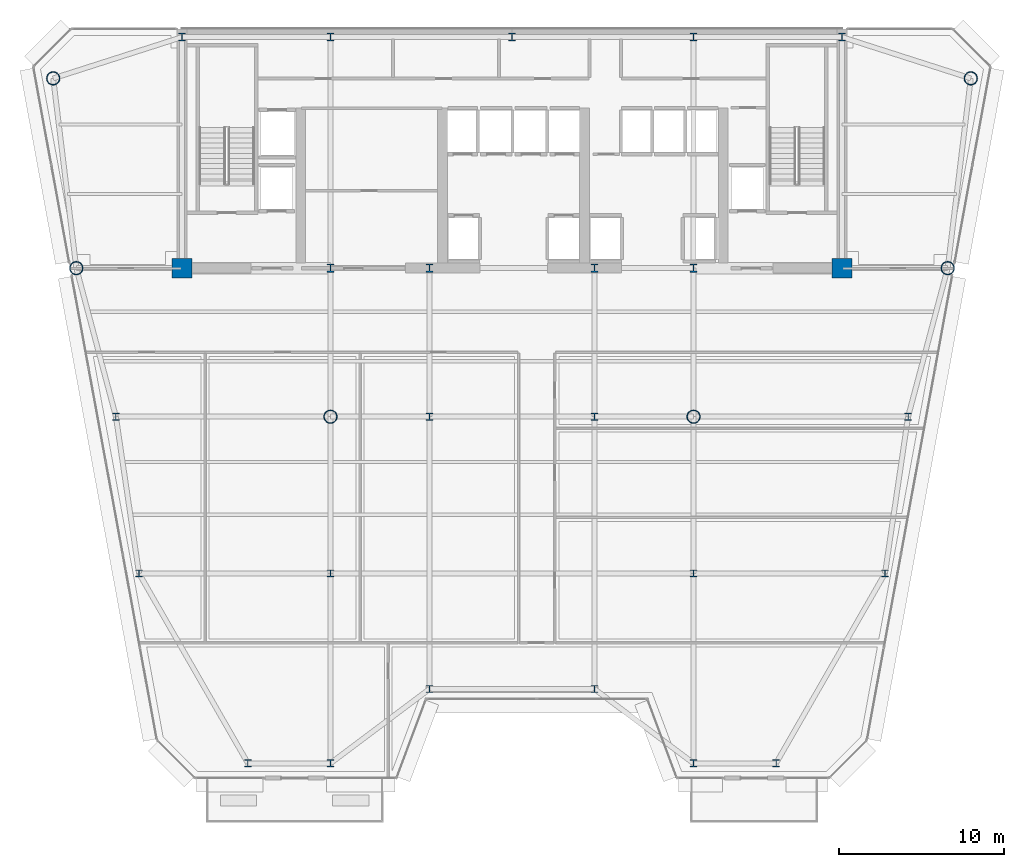
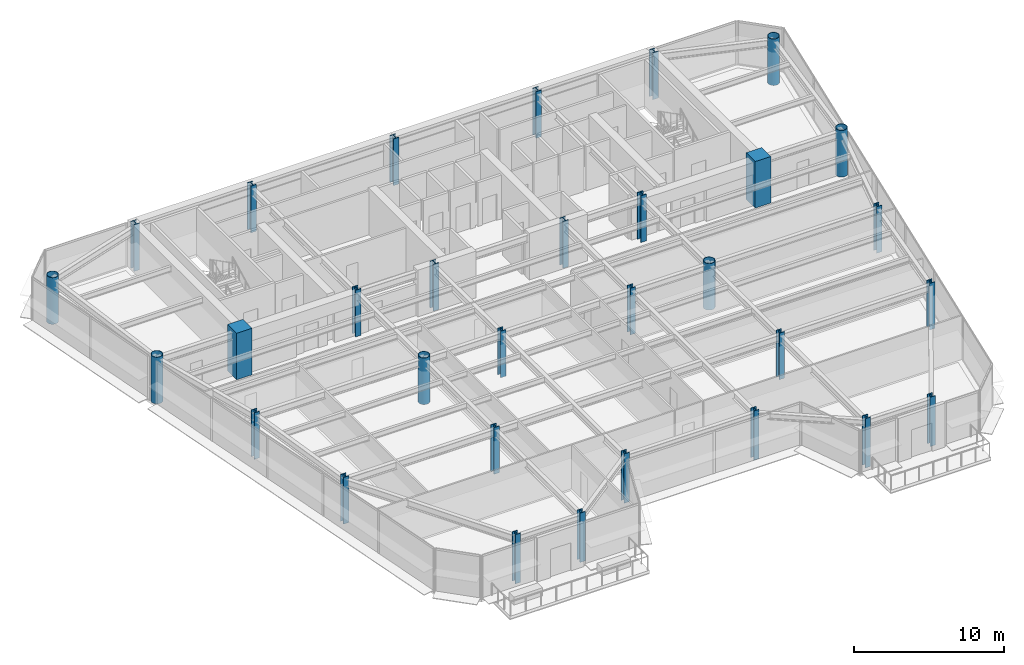
# One storey, part 1 of 17: 31 columns.
"""IFC4 building model written with IfcOpenShell, lengths in metres."""

import ifcopenshell
import ifcopenshell.guid

model = None  # the IFC model being written
_history = None  # IfcOwnerHistory: only IFC2X3 demands one
_inside = {}  # id of a spatial element -> (the spatial element, [elements in it])
_under = {}  # id of a project, library or spatial element -> (it, [spatial elements below it])
_declared = {}  # id of a project -> (the project, [libraries it declares])
_typed = {}  # id of a type object -> (the type object, [elements of that type])
_made_of = {}  # id of a material, layer set ... -> (it, [elements and type objects made of it])


def new_model(schema):
    """Start an empty IFC model of exactly this schema.

    Asked for "IFC4X3", IfcOpenShell would pick the latest addendum, in which some entities
    have other attributes; the version numbers below select the first issue.
    IFC2X3 requires an IfcOwnerHistory on every rooted entity: one is made here for all.
    """
    global model, _history
    if schema == "IFC4X3":
        model = ifcopenshell.file(schema_version=(4, 3, 0, 0))
    else:
        model = ifcopenshell.file(schema=schema)
    _inside.clear()
    _under.clear()
    _declared.clear()
    _typed.clear()
    _made_of.clear()
    _history = None
    if model.schema == "IFC2X3":
        org = make("IfcOrganization", Name="unknown")
        user = make(
            "IfcPersonAndOrganization",
            ThePerson=make("IfcPerson", FamilyName="unknown"),
            TheOrganization=org,
        )
        app = make(
            "IfcApplication",
            ApplicationDeveloper=org,
            Version="unknown",
            ApplicationFullName="unknown",
            ApplicationIdentifier="unknown",
        )
        _history = make(
            "IfcOwnerHistory",
            OwningUser=user,
            OwningApplication=app,
            ChangeAction="ADDED",
            CreationDate=0,
        )
    return model


def make(cls, **values):
    """One entity of the class cls with the attributes given. An attribute that is None is left unset."""
    return model.create_entity(
        cls, **{name: value for name, value in values.items() if value is not None}
    )


def rooted(cls, **values):
    """An entity with a GlobalId (a new one), such as an element, a storey or a relation."""
    return make(cls, GlobalId=ifcopenshell.guid.new(), OwnerHistory=_history, **values)


def si_unit(unit_type, name, prefix=None):
    """IfcSIUnit, for example si_unit("LENGTHUNIT", "METRE", prefix="MILLI")."""
    return make("IfcSIUnit", UnitType=unit_type, Prefix=prefix, Name=name)


def assignment(units):
    """IfcUnitAssignment: the units of a project."""
    return None if units is None else make("IfcUnitAssignment", Units=units)


def point(xyz):
    """IfcCartesianPoint."""
    return None if xyz is None else make("IfcCartesianPoint", Coordinates=xyz)


def direction(xyz):
    """IfcDirection."""
    return None if xyz is None else make("IfcDirection", DirectionRatios=xyz)


def frame(location, z_axis=None, x_axis=None):
    """IfcAxis2Placement3D, a coordinate frame: its origin and axes. An axis left out is left unset."""
    return make(
        "IfcAxis2Placement3D",
        Location=point(location),
        Axis=direction(z_axis),
        RefDirection=direction(x_axis),
    )


def frame_2d(location, x_axis=None):
    """IfcAxis2Placement2D, a coordinate frame in the plane: its origin and x axis."""
    return make(
        "IfcAxis2Placement2D", Location=point(location), RefDirection=direction(x_axis)
    )


def origin():
    """The frame at (0, 0, 0) with its axes left unset."""
    return frame((0.0, 0.0, 0.0))


def origin_2d():
    """The frame at (0, 0) in the plane with its x axis left unset."""
    return frame_2d((0.0, 0.0))


def place(relative_to, where):
    """IfcLocalPlacement: puts the frame where relative to a parent placement (None: the world)."""
    return make(
        "IfcLocalPlacement", PlacementRelTo=relative_to, RelativePlacement=where
    )


def context(
    kind, dimensions, precision=None, world=None, true_north=None, identifier=None
):
    """IfcGeometricRepresentationContext, for example the 3D "Model" context."""
    return make(
        "IfcGeometricRepresentationContext",
        ContextIdentifier=identifier,
        ContextType=kind,
        CoordinateSpaceDimension=dimensions,
        Precision=precision,
        WorldCoordinateSystem=world,
        TrueNorth=true_north,
    )


def subcontext(parent, identifier, kind, view, scale=None):
    """IfcGeometricRepresentationSubContext, for example "Body" below "Model"."""
    return make(
        "IfcGeometricRepresentationSubContext",
        ContextIdentifier=identifier,
        ContextType=kind,
        ParentContext=parent,
        TargetScale=scale,
        TargetView=view,
    )


def project(units=None, contexts=None):
    """IfcProject with its units and contexts."""
    return rooted(
        "IfcProject",
        Name="project",
        RepresentationContexts=contexts,
        UnitsInContext=assignment(units),
    )


def spatial(cls, under=None, at=None, **own):
    """A site, building, storey or space (cls), placed at a placement, below another one or the project."""
    s = rooted(cls, ObjectPlacement=at, **own)
    if under is not None:
        _under.setdefault(under.id(), (under, []))[1].append(s)
    return s


def profile(cls, at=None, kind="AREA", **sizes):
    """A parametric profile (cls). Its sizes go by their IFC names, for example OverallWidth=200.0."""
    return make(cls, ProfileType=kind, Position=at, **sizes)


def rectangle(**sizes):
    """IfcRectangleProfileDef."""
    return profile("IfcRectangleProfileDef", **sizes)


def hollow_circle(**sizes):
    """IfcCircleHollowProfileDef."""
    return profile("IfcCircleHollowProfileDef", **sizes)


def i_section(**sizes):
    """IfcIShapeProfileDef."""
    return profile("IfcIShapeProfileDef", **sizes)


def extrude(swept, where, along, depth):
    """IfcExtrudedAreaSolid: the profile swept, set in the frame where, extruded along a direction by depth."""
    return make(
        "IfcExtrudedAreaSolid",
        SweptArea=swept,
        Position=where,
        ExtrudedDirection=direction(along),
        Depth=depth,
    )


def shape(context_of_items, identifier, shape_type, items):
    """IfcShapeRepresentation: the items that make up one representation, for example the "Body"."""
    return make(
        "IfcShapeRepresentation",
        ContextOfItems=context_of_items,
        RepresentationIdentifier=identifier,
        RepresentationType=shape_type,
        Items=items,
    )


def source(mapping_origin, context_of_items, identifier, shape_type, items):
    """IfcRepresentationMap: a shape defined once, which mapped items show again and again."""
    return make(
        "IfcRepresentationMap",
        MappingOrigin=mapping_origin,
        MappedRepresentation=shape(context_of_items, identifier, shape_type, items),
    )


def transform(
    local_origin,
    x_axis=None,
    y_axis=None,
    z_axis=None,
    scale=None,
    scale2=None,
    scale3=None,
    uniform=True,
):
    """IfcCartesianTransformationOperator3D, or its non-uniform kind. x_axis, y_axis, z_axis: its Axis1, 2, 3."""
    if uniform:
        return make(
            "IfcCartesianTransformationOperator3D",
            Axis1=direction(x_axis),
            Axis2=direction(y_axis),
            LocalOrigin=point(local_origin),
            Scale=scale,
            Axis3=direction(z_axis),
        )
    return make(
        "IfcCartesianTransformationOperator3DnonUniform",
        Axis1=direction(x_axis),
        Axis2=direction(y_axis),
        LocalOrigin=point(local_origin),
        Scale=scale,
        Axis3=direction(z_axis),
        Scale2=scale2,
        Scale3=scale3,
    )


def mapped(mapping_source, mapping_target):
    """IfcMappedItem: shows the shape of a source again, moved by a transform."""
    return make(
        "IfcMappedItem", MappingSource=mapping_source, MappingTarget=mapping_target
    )


def material(Name=None, Category=None):
    """IfcMaterial."""
    return make("IfcMaterial", Name=Name, Category=Category)


def material_profile(
    of_material, cross_section, Name=None, Category=None, Priority=None
):
    """IfcMaterialProfile: a cross section and its material."""
    return make(
        "IfcMaterialProfile",
        Name=Name,
        Material=of_material,
        Profile=cross_section,
        Priority=Priority,
        Category=Category,
    )


def profile_set(profiles, Name=None, composite=None):
    """IfcMaterialProfileSet."""
    return make(
        "IfcMaterialProfileSet",
        Name=Name,
        MaterialProfiles=profiles,
        CompositeProfile=composite,
    )


def made_of(thing, what):
    """Note that an element or type object is made of a material, layer set ...; save() writes the relation."""
    if what is not None:
        _made_of.setdefault(what.id(), (what, []))[1].append(thing)
    return thing


def type_object(cls, material=None, **own):
    """A type object (cls), such as IfcWallType, which elements share."""
    return made_of(rooted(cls, **own), material)


def element(
    cls,
    number,
    at=None,
    inside=None,
    cuts=None,
    type_object=None,
    material=None,
    context=None,
    identifier="Body",
    shape_type=None,
    held_by="IfcProductDefinitionShape",
    body=None,
    shapes=None,
    **own,
):
    """One element of the class cls, such as IfcWall. Its Tag is "e" and its number.

    at: its placement. inside: the storey or other place that contains it. cuts: it is an
    opening in that element (IfcRelVoidsElement). A single representation is given by context,
    identifier, shape_type and body (its items); several are given by shapes. held_by: the class
    of the entity that holds the representations. save() writes the other relations.
    """
    e = rooted(cls, Tag="e%d" % number, ObjectPlacement=at, **own)
    if body is not None:
        shapes = [shape(context, identifier, shape_type, body)]
    if shapes is not None:
        e.Representation = make(held_by, Representations=shapes)
    if inside is not None:
        _inside.setdefault(inside.id(), (inside, []))[1].append(e)
    if cuts is not None:
        rooted(
            "IfcRelVoidsElement", RelatingBuildingElement=cuts, RelatedOpeningElement=e
        )
    if type_object is not None:
        _typed.setdefault(type_object.id(), (type_object, []))[1].append(e)
    return made_of(e, material)


def aggregate(whole, parts):
    """IfcRelAggregates: a whole, such as a stair, and the parts it consists of."""
    return rooted("IfcRelAggregates", RelatingObject=whole, RelatedObjects=parts)


def save(model, path):
    """Write the relations noted so far, then the file.

    IfcRelAggregates (storeys below a building ...), IfcRelContainedInSpatialStructure (elements
    in a storey), IfcRelDefinesByType, IfcRelAssociatesMaterial and IfcRelDeclares: one each for
    every whole, place, type object, material and project.
    """
    for whole, parts in _under.values():
        aggregate(whole, parts)
    for where, things in _inside.values():
        rooted(
            "IfcRelContainedInSpatialStructure",
            RelatedElements=things,
            RelatingStructure=where,
        )
    for kind, things in _typed.values():
        rooted("IfcRelDefinesByType", RelatedObjects=things, RelatingType=kind)
    for what, things in _made_of.values():
        rooted("IfcRelAssociatesMaterial", RelatedObjects=things, RelatingMaterial=what)
    for by, libraries in _declared.values():
        rooted("IfcRelDeclares", RelatingContext=by, RelatedDefinitions=libraries)
    model.write(path)


model = new_model("IFC4")

# Units and contexts
model_context = context("Model", 3, precision=1e-05, world=origin(), true_north=direction((0.0, 1.0)))
body_context = subcontext(model_context, "Body", "Model", "MODEL_VIEW")
ifc_project = project(units=[si_unit("LENGTHUNIT", "METRE"), si_unit("AREAUNIT", "SQUARE_METRE"), si_unit("VOLUMEUNIT", "CUBIC_METRE"), si_unit("PLANEANGLEUNIT", "RADIAN"), si_unit("MASSUNIT", "GRAM", prefix="KILO")], contexts=[model_context])

# Site, building, storey
site_placement = place(None, origin())
site = spatial("IfcSite", under=ifc_project, at=site_placement, CompositionType="ELEMENT")
building_placement = place(site_placement, origin())
building = spatial("IfcBuilding", under=site, at=building_placement, Name="Vaeldorn Concourse Tower", CompositionType="ELEMENT")
storey_placement = place(building_placement, frame((0.0, 0.0, 180.39990234375)))
storey = spatial("IfcBuildingStorey", under=building, at=storey_placement, Name="L46", CompositionType="ELEMENT", Elevation=180.39990234375)

# Columns
ifc_material_1 = material(Name="Concrete C50/60", Category="concrete")
ifc_material_profile_1 = material_profile(ifc_material_1, rectangle(XDim=1.199951171875, YDim=1.199951171875, at=origin_2d()), Name="RC 1200x1200")
ifc_profile_set_1 = profile_set([ifc_material_profile_1], Name="Concrete C50/60")
column_type_1 = type_object("IfcColumnType", Name="COL-RC1200", PredefinedType="COLUMN", material=ifc_profile_set_1)
shared_shape_1 = source(origin(), body_context, "Body", "SweptSolid", [
    extrude(rectangle(XDim=1.199951171875, YDim=1.199951171875, at=origin_2d()), origin(), (0.0, 0.0, 1.0), 3.800048828125),
])
for number, where, z_axis, x_axis, name in (
    (1, (14.0, 36.5, 0.0), (0.0, 0.0, 1.0), (1.0, 0.0, 0.0), "Column C-FC1 L46"),
    (2, (54.0, 36.5, 0.0), (0.0, 0.0, 1.0), (1.0, 0.0, 0.0), "Column C-FC6 L46"),
):
    element("IfcColumn", number, at=place(storey_placement, frame(where, z_axis=z_axis, x_axis=x_axis)), inside=storey, type_object=column_type_1, Name=name, PredefinedType="COLUMN", context=body_context, shape_type="MappedRepresentation", body=[
        mapped(shared_shape_1, transform((0.0, 0.0, 0.0), scale=1.0)),
    ])
ifc_material_2 = material(Name="Steel S460", Category="steel")
ifc_material_profile_2 = material_profile(ifc_material_2, i_section(OverallWidth=0.431884765625, OverallDepth=0.498046875, WebThickness=0.054931640625, FlangeThickness=0.068115234375, FilletRadius=0.014892578125, at=origin_2d()), Name="HD 400x744")
ifc_profile_set_2 = profile_set([ifc_material_profile_2], Name="Steel S460")
column_type_2 = type_object("IfcColumnType", Name="COL-HD744", PredefinedType="COLUMN", material=ifc_profile_set_2)
shared_shape_2 = source(origin(), body_context, "Body", "SweptSolid", [
    extrude(i_section(OverallWidth=0.431884765625, OverallDepth=0.498046875, WebThickness=0.054931640625, FlangeThickness=0.068115234375, FilletRadius=0.014892578125, at=origin_2d()), origin(), (0.0, 0.0, 1.0), 3.800048828125),
])
for number, where, z_axis, x_axis, name in (
    (3, (23.0, 36.5, 0.0), (0.0, 0.0, 1.0), (1.0, 0.0, 0.0), "Column C-FC2 L46"),
    (4, (29.0, 36.5, 0.0), (0.0, 0.0, 1.0), (1.0, 0.0, 0.0), "Column C-FC3 L46"),
    (5, (39.0, 36.5, 0.0), (0.0, 0.0, 1.0), (1.0, 0.0, 0.0), "Column C-FC4 L46"),
    (6, (45.0, 36.5, 0.0), (0.0, 0.0, 1.0), (1.0, 0.0, 0.0), "Column C-FC5 L46"),
    (7, (14.0, 50.5, 0.0), (0.0, 0.0, 1.0), (1.0, 0.0, 0.0), "Column C-HC1 L46"),
    (8, (23.0, 50.5, 0.0), (0.0, 0.0, 1.0), (1.0, 0.0, 0.0), "Column C-HC2 L46"),
    (9, (34.0, 50.5, 0.0), (0.0, 0.0, 1.0), (1.0, 0.0, 0.0), "Column C-HC3 L46"),
    (10, (45.0, 50.5, 0.0), (0.0, 0.0, 1.0), (1.0, 0.0, 0.0), "Column C-HC4 L46"),
    (11, (54.0, 50.5, 0.0), (0.0, 0.0, 1.0), (1.0, 0.0, 0.0), "Column C-HC5 L46"),
):
    element("IfcColumn", number, at=place(storey_placement, frame(where, z_axis=z_axis, x_axis=x_axis)), inside=storey, type_object=column_type_2, Name=name, PredefinedType="COLUMN", context=body_context, shape_type="MappedRepresentation", body=[
        mapped(shared_shape_2, transform((0.0, 0.0, 0.0), scale=1.0)),
    ])
ifc_material_profile_3 = material_profile(ifc_material_2, hollow_circle(Radius=0.406494140625, WallThickness=0.0400390625, at=origin_2d()), Name="CHS 813x40")
ifc_profile_set_3 = profile_set([ifc_material_profile_3], Name="Steel S460")
column_type_3 = type_object("IfcColumnType", Name="COL-CHS813", PredefinedType="COLUMN", material=ifc_profile_set_3)
shared_shape_3 = source(origin(), body_context, "Body", "SweptSolid", [
    extrude(hollow_circle(Radius=0.406494140625, WallThickness=0.0400390625, at=origin_2d()), origin(), (0.0, 0.0, 1.0), 3.800048828125),
])
for number, where, z_axis, x_axis, name in (
    (12, (6.199951171875, 48.0, 0.0), (0.0, 0.0, 1.0), (1.0, 0.0, 0.0), "Column C-NW1 L46"),
    (13, (7.60009765625, 36.5, 0.0), (0.0, 0.0, 1.0), (1.0, 0.0, 0.0), "Column C-NW2 L46"),
    (14, (61.800048828125, 48.0, 0.0), (0.0, 0.0, 1.0), (1.0, 0.0, 0.0), "Column C-NE1 L46"),
    (15, (60.39990234375, 36.5, 0.0), (0.0, 0.0, 1.0), (1.0, 0.0, 0.0), "Column C-NE2 L46"),
    (16, (23.0, 27.5, 0.0), (0.0, 0.0, 1.0), (1.0, 0.0, 0.0), "Column C-TW1 L46"),
    (17, (45.0, 27.5, 0.0), (0.0, 0.0, 1.0), (1.0, 0.0, 0.0), "Column C-TW4 L46"),
):
    element("IfcColumn", number, at=place(storey_placement, frame(where, z_axis=z_axis, x_axis=x_axis)), inside=storey, type_object=column_type_3, Name=name, PredefinedType="COLUMN", context=body_context, shape_type="MappedRepresentation", body=[
        mapped(shared_shape_3, transform((0.0, 0.0, 0.0), scale=1.0)),
    ])
ifc_material_3 = material(Name="Steel S355", Category="steel")
ifc_material_profile_4 = material_profile(ifc_material_3, i_section(OverallWidth=0.412109375, OverallDepth=0.43505859375, WebThickness=0.035888671875, FlangeThickness=0.050048828125, FilletRadius=0.014892578125, at=origin_2d()), Name="HD 400x463")
ifc_profile_set_4 = profile_set([ifc_material_profile_4], Name="Steel S355")
column_type_4 = type_object("IfcColumnType", Name="COL-HD463F", PredefinedType="COLUMN", material=ifc_profile_set_4)
shared_shape_4 = source(origin(), body_context, "Body", "SweptSolid", [
    extrude(i_section(OverallWidth=0.412109375, OverallDepth=0.43505859375, WebThickness=0.035888671875, FlangeThickness=0.050048828125, FilletRadius=0.014892578125, at=origin_2d()), origin(), (0.0, 0.0, 1.0), 3.800048828125),
])
for number, where, z_axis, x_axis, name in (
    (18, (10.0, 27.5, 0.0), (0.0, 0.0, 1.0), (1.0, 0.0, 0.0), "Column C-FLW1 L46"),
    (19, (11.39990234375, 18.0, 0.0), (0.0, 0.0, 1.0), (1.0, 0.0, 0.0), "Column C-FLW2 L46"),
    (20, (58.0, 27.5, 0.0), (0.0, 0.0, 1.0), (1.0, 0.0, 0.0), "Column C-FLE1 L46"),
    (21, (56.60009765625, 18.0, 0.0), (0.0, 0.0, 1.0), (1.0, 0.0, 0.0), "Column C-FLE2 L46"),
):
    element("IfcColumn", number, at=place(storey_placement, frame(where, z_axis=z_axis, x_axis=x_axis)), inside=storey, type_object=column_type_4, Name=name, PredefinedType="COLUMN", context=body_context, shape_type="MappedRepresentation", body=[
        mapped(shared_shape_4, transform((0.0, 0.0, 0.0), scale=1.0)),
    ])
ifc_material_profile_5 = material_profile(ifc_material_3, i_section(OverallWidth=0.412109375, OverallDepth=0.43505859375, WebThickness=0.035888671875, FlangeThickness=0.050048828125, FilletRadius=0.014892578125, at=origin_2d()), Name="HD 400x463")
ifc_profile_set_5 = profile_set([ifc_material_profile_5], Name="Steel S355")
column_type_5 = type_object("IfcColumnType", Name="COL-HD463T", PredefinedType="COLUMN", material=ifc_profile_set_5)
shared_shape_5 = source(origin(), body_context, "Body", "SweptSolid", [
    extrude(i_section(OverallWidth=0.412109375, OverallDepth=0.43505859375, WebThickness=0.035888671875, FlangeThickness=0.050048828125, FilletRadius=0.014892578125, at=origin_2d()), origin(), (0.0, 0.0, 1.0), 3.800048828125),
])
for number, where, z_axis, x_axis, name in (
    (22, (29.0, 27.5, 0.0), (0.0, 0.0, 1.0), (1.0, 0.0, 0.0), "Column C-TW2 L46"),
    (23, (39.0, 27.5, 0.0), (0.0, 0.0, 1.0), (1.0, 0.0, 0.0), "Column C-TW3 L46"),
    (24, (23.0, 18.0, 0.0), (0.0, 0.0, 1.0), (1.0, 0.0, 0.0), "Column C-TW5 L46"),
    (25, (45.0, 18.0, 0.0), (0.0, 0.0, 1.0), (1.0, 0.0, 0.0), "Column C-TW6 L46"),
):
    element("IfcColumn", number, at=place(storey_placement, frame(where, z_axis=z_axis, x_axis=x_axis)), inside=storey, type_object=column_type_5, Name=name, PredefinedType="COLUMN", context=body_context, shape_type="MappedRepresentation", body=[
        mapped(shared_shape_5, transform((0.0, 0.0, 0.0), scale=1.0)),
    ])
shared_shape_6 = source(origin(), body_context, "Body", "SweptSolid", [
    extrude(i_section(OverallWidth=0.412109375, OverallDepth=0.43505859375, WebThickness=0.035888671875, FlangeThickness=0.050048828125, FilletRadius=0.014892578125, at=origin_2d()), origin(), (0.0, 0.0, 1.0), 4.02001953125),
])
for number, where, z_axis, x_axis, name in (
    (26, (18.0, 6.5, -0.219970703125), (0.0, 0.0, 1.0), (1.0, 0.0, 0.0), "Column C-SF1 L46"),
    (27, (23.0, 6.5, -0.219970703125), (0.0, 0.0, 1.0), (1.0, 0.0, 0.0), "Column C-SF2 L46"),
    (28, (29.0, 11.0, -0.219970703125), (0.0, 0.0, 1.0), (1.0, 0.0, 0.0), "Column C-SF3 L46"),
    (29, (39.0, 11.0, -0.219970703125), (0.0, 0.0, 1.0), (1.0, 0.0, 0.0), "Column C-SF4 L46"),
    (30, (45.0, 6.5, -0.219970703125), (0.0, 0.0, 1.0), (1.0, 0.0, 0.0), "Column C-SF5 L46"),
    (31, (50.0, 6.5, -0.219970703125), (0.0, 0.0, 1.0), (1.0, 0.0, 0.0), "Column C-SF6 L46"),
):
    element("IfcColumn", number, at=place(storey_placement, frame(where, z_axis=z_axis, x_axis=x_axis)), inside=storey, type_object=column_type_5, Name=name, PredefinedType="COLUMN", context=body_context, shape_type="MappedRepresentation", body=[
        mapped(shared_shape_6, transform((0.0, 0.0, 0.0), scale=1.0)),
    ])

save(model, "model.ifc")
